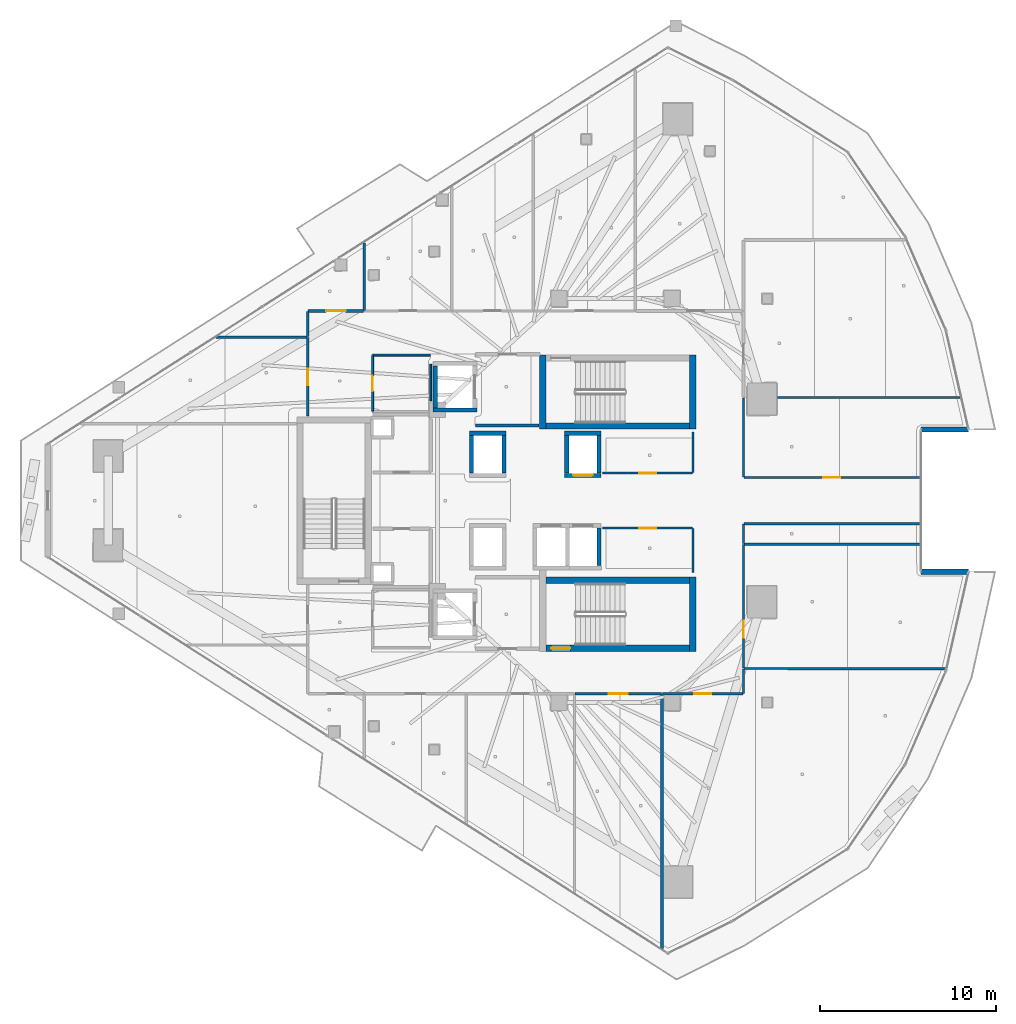
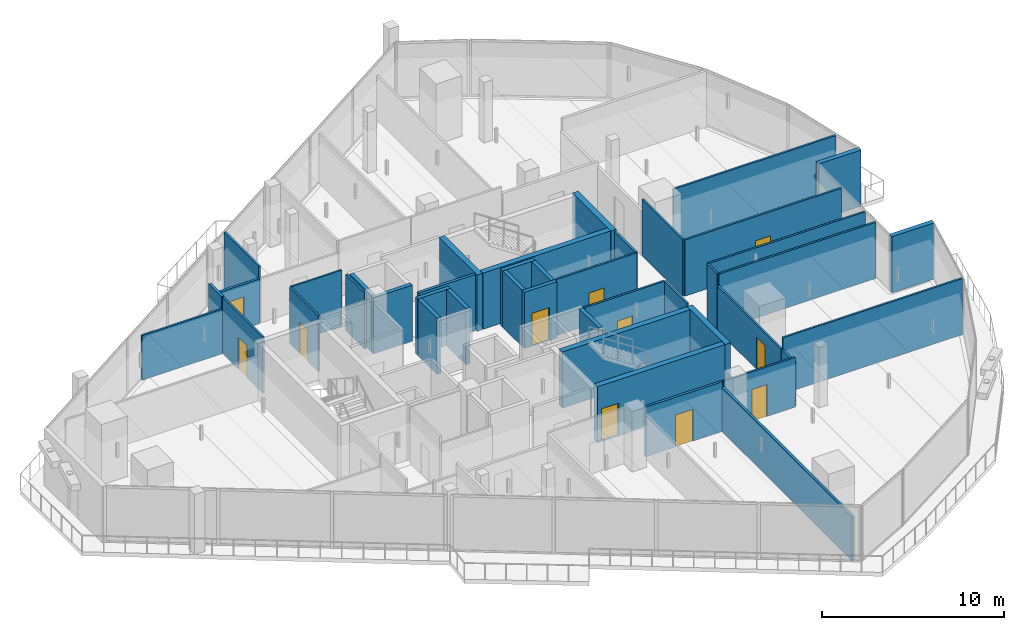
# One storey, part 25 of 36: 43 walls, 11 doors, 11 openings.
"""IFC4 building model written with IfcOpenShell, lengths in metres."""

from ifc_helpers import new_model, si_unit, direction, frame, frame_2d, origin, place, context, subcontext, project, spatial, rectangle, extrude, material, layer, layer_set, type_object, element, fill, save


model = new_model("IFC4")

# Units and contexts
model_context = context("Model", 3, precision=1e-05, world=origin(), true_north=direction((0.0, 1.0)))
body_context = subcontext(model_context, "Body", "Model", "MODEL_VIEW")
ifc_project = project(units=[si_unit("LENGTHUNIT", "METRE"), si_unit("AREAUNIT", "SQUARE_METRE"), si_unit("VOLUMEUNIT", "CUBIC_METRE"), si_unit("PLANEANGLEUNIT", "RADIAN"), si_unit("MASSUNIT", "GRAM", prefix="KILO")], contexts=[model_context])

# Site, building, storey
site_placement = place(None, origin())
site = spatial("IfcSite", under=ifc_project, at=site_placement, CompositionType="ELEMENT")
building_placement = place(site_placement, origin())
building = spatial("IfcBuilding", under=site, at=building_placement, Name="Qorvath Tower", CompositionType="ELEMENT")
storey_placement = place(building_placement, frame((0.0, 0.0, 241.5)))
storey = spatial("IfcBuildingStorey", under=building, at=storey_placement, Name="L56", CompositionType="ELEMENT", Elevation=241.5)

# Wall
ifc_material_1 = material(Name="Gypsum shaftliner on steel studs", Category="steel")
ifc_layer_1 = layer(ifc_material_1, 0.179931640625)
ifc_layer_set_1 = layer_set([ifc_layer_1], Name="FW-LOBBY")
wall_type_1 = type_object("IfcWallType", Name="FW-LOBBY", PredefinedType="PARTITIONING", material=ifc_layer_set_1)
wall_1_placement = place(storey_placement, frame((-28.35498046875, 4.25, 0.0), z_axis=(0.0, 0.0, 1.0), x_axis=(1.0, 0.0, 0.0)))
element("IfcWall", 1, at=wall_1_placement, inside=storey, type_object=wall_type_1, Name="Interior Partition IW-T1-L56-001", PredefinedType="PARTITIONING", context=body_context, shape_type="SweptSolid", body=[
    extrude(rectangle(XDim=3.6220703125, YDim=0.179931640625, at=frame_2d((1.81103515625, 0.0))), origin(), (0.0, 0.0, 1.0), 3.780029296875),
])

# Wall, opening, door
ifc_material_2 = material(Name="Double acoustic gypsum board on steel studs", Category="steel")
ifc_layer_2 = layer(ifc_material_2, 0.159912109375)
ifc_layer_set_2 = layer_set([ifc_layer_2], Name="IW-ACOUSTIC-160")
wall_type_2 = type_object("IfcWallType", Name="IW-ACOUSTIC-160", PredefinedType="PARTITIONING", material=ifc_layer_set_2)
wall_2_placement = place(storey_placement, frame((-17.79541015625, -10.9580078125, 0.0), z_axis=(0.0, 0.0, 1.0), x_axis=(-1.0, 0.0, 0.0)))
wall_2 = element("IfcWall", 2, at=wall_2_placement, inside=storey, type_object=wall_type_2, Name="Interior Partition IW-T1-L56-038", PredefinedType="PARTITIONING", context=body_context, shape_type="SweptSolid", body=[
    extrude(rectangle(XDim=4.904541015625, YDim=0.159912109375, at=frame_2d((2.4521484375, 0.0))), origin(), (0.0, 0.0, 1.0), 3.34375),
])
opening_1_placement = place(wall_2_placement, frame((1.90234375, 0.0, 0.0)))
opening_1 = element("IfcOpeningElement", 3, at=opening_1_placement, cuts=wall_2, Name="Opening D-T1-L56-13", PredefinedType="OPENING", context=body_context, shape_type="SweptSolid", body=[
    extrude(rectangle(XDim=1.10009765625, YDim=2.14990234375, at=frame_2d((0.550048828125, 1.074951171875))), frame((0.0, 0.08984375, 0.0), z_axis=(0.0, -1.0, 0.0), x_axis=(1.0, 0.0, 0.0)), (0.0, 0.0, 1.0), 0.179931640625),
])
ifc_material_3 = material(Name="Anodised aluminium acoustic framed glass", Category="aluminium")
door_type_1 = type_object("IfcDoorType", Name="D-03", OperationType="NOTDEFINED", PredefinedType="DOOR", material=ifc_material_3)
door_1_placement = place(opening_1_placement, origin())
door_1 = element("IfcDoor", 4, at=door_1_placement, inside=storey, type_object=door_type_1, Name="L56-07 Team Project Office Door D-T1-L56-13", OperationType="SINGLE_SWING_LEFT", OverallHeight=2.14990234375, OverallWidth=1.10009765625, PredefinedType="DOOR", context=body_context, shape_type="SweptSolid", body=[
    extrude(rectangle(XDim=1.10009765625, YDim=2.14990234375, at=frame_2d((0.550048828125, 1.074951171875))), frame((0.0, 0.02490234375, 0.0), z_axis=(0.0, -1.0, 0.0), x_axis=(1.0, 0.0, 0.0)), (0.0, 0.0, 1.0), 0.050048828125),
])
fill(opening_1, door_1)

# Walls
wall_3_placement = place(storey_placement, frame((-17.770263671875, -25.391845703125, 0.0), z_axis=(0.0, 0.0, 1.0), x_axis=(0.0, 1.0, 0.0)))
element("IfcWall", 5, at=wall_3_placement, inside=storey, type_object=wall_type_2, Name="Interior Partition IW-T1-L56-039", PredefinedType="PARTITIONING", context=body_context, shape_type="SweptSolid", body=[
    extrude(rectangle(XDim=14.408935546875, YDim=0.159912109375, at=frame_2d((7.20458984375, 0.0))), origin(), (0.0, 0.0, 1.0), 2.97705078125),
])
wall_4_placement = place(storey_placement, frame((-37.85791015625, 10.733154296875, 0.0), z_axis=(0.0, 0.0, 1.0), x_axis=(0.0, -1.0, 0.0)))
element("IfcWall", 6, at=wall_4_placement, inside=storey, type_object=wall_type_2, Name="Interior Partition IW-T1-L56-058", PredefinedType="PARTITIONING", context=body_context, shape_type="SweptSolid", body=[
    extrude(rectangle(XDim=1.43603515625, YDim=0.159912109375, at=frame_2d((0.718017578125, 0.0))), origin(), (0.0, 0.0, 1.0), 3.780029296875),
])

# Wall, opening, door
wall_5_placement = place(storey_placement, frame((-37.8330078125, 10.758056640625, 0.0), z_axis=(0.0, 0.0, 1.0), x_axis=(1.0, 0.0, 0.0)))
wall_5 = element("IfcWall", 7, at=wall_5_placement, inside=storey, type_object=wall_type_2, Name="Interior Partition IW-T1-L56-059", PredefinedType="PARTITIONING", context=body_context, shape_type="SweptSolid", body=[
    extrude(rectangle(XDim=3.14990234375, YDim=0.159912109375, at=frame_2d((1.574951171875, 0.0))), origin(), (0.0, 0.0, 1.0), 3.0),
])
opening_2_placement = place(wall_5_placement, frame((1.02490234375, 0.0, 0.0)))
opening_2 = element("IfcOpeningElement", 8, at=opening_2_placement, cuts=wall_5, Name="Opening D-T1-L56-21", PredefinedType="OPENING", context=body_context, shape_type="SweptSolid", body=[
    extrude(rectangle(XDim=1.10009765625, YDim=2.14990234375, at=frame_2d((0.550048828125, 1.074951171875))), frame((0.0, 0.08984375, 0.0), z_axis=(0.0, -1.0, 0.0), x_axis=(1.0, 0.0, 0.0)), (0.0, 0.0, 1.0), 0.179931640625),
])
door_2_placement = place(opening_2_placement, origin())
door_2 = element("IfcDoor", 9, at=door_2_placement, inside=storey, type_object=door_type_1, Name="L56-15 Digital Visualization Suite Door D-T1-L56-21", OperationType="SINGLE_SWING_LEFT", OverallHeight=2.14990234375, OverallWidth=1.10009765625, PredefinedType="DOOR", context=body_context, shape_type="SweptSolid", body=[
    extrude(rectangle(XDim=1.10009765625, YDim=2.14990234375, at=frame_2d((0.550048828125, 1.074951171875))), frame((0.0, 0.02490234375, 0.0), z_axis=(0.0, -1.0, 0.0), x_axis=(1.0, 0.0, 0.0)), (0.0, 0.0, 1.0), 0.050048828125),
])
fill(opening_2, door_2)

ifc_material_4 = material(Name="Gypsum board on metal studs with mineral wool", Category="gypsum")
ifc_layer_3 = layer(ifc_material_4, 0.125)
ifc_layer_set_3 = layer_set([ifc_layer_3], Name="IW-PART-125")
wall_type_3 = type_object("IfcWallType", Name="IW-PART-125", PredefinedType="PARTITIONING", material=ifc_layer_set_3)
wall_6_placement = place(storey_placement, frame((-21.1337890625, 1.56005859375, 0.0), z_axis=(0.0, 0.0, 1.0), x_axis=(1.0, 0.0, 0.0)))
wall_6 = element("IfcWall", 10, at=wall_6_placement, inside=storey, type_object=wall_type_3, Name="Interior Partition IW-T1-L56-013", PredefinedType="PARTITIONING", context=body_context, shape_type="SweptSolid", body=[
    extrude(rectangle(XDim=5.10888671875, YDim=0.125, at=frame_2d((2.554443359375, 0.0))), origin(), (0.0, 0.0, 1.0), 3.780029296875),
])
opening_3_placement = place(wall_6_placement, frame((2.079345703125, 0.0, 0.0)))
opening_3 = element("IfcOpeningElement", 11, at=opening_3_placement, cuts=wall_6, Name="Opening D-T1-L56-03", PredefinedType="OPENING", context=body_context, shape_type="SweptSolid", body=[
    extrude(rectangle(XDim=0.949951171875, YDim=2.14990234375, at=frame_2d((0.47509765625, 1.074951171875))), frame((0.0, 0.072509765625, 0.0), z_axis=(0.0, -1.0, 0.0), x_axis=(1.0, 0.0, 0.0)), (0.0, 0.0, 1.0), 0.14501953125),
])
ifc_material_5 = material(Name="Solid-core American white oak veneer", Category="wood")
door_type_2 = type_object("IfcDoorType", Name="D-01", OperationType="NOTDEFINED", PredefinedType="DOOR", material=ifc_material_5)
door_3_placement = place(opening_3_placement, origin())
door_3 = element("IfcDoor", 12, at=door_3_placement, inside=storey, type_object=door_type_2, Name="L56-RCN North Quantitative Server Suite Door D-T1-L56-03", OperationType="SINGLE_SWING_LEFT", OverallHeight=2.14990234375, OverallWidth=0.949951171875, PredefinedType="DOOR", context=body_context, shape_type="SweptSolid", body=[
    extrude(rectangle(XDim=0.949951171875, YDim=2.14990234375, at=frame_2d((0.47509765625, 1.074951171875))), frame((0.0, 0.02490234375, 0.0), z_axis=(0.0, -1.0, 0.0), x_axis=(1.0, 0.0, 0.0)), (0.0, 0.0, 1.0), 0.050048828125),
])
fill(opening_3, door_3)

# Walls
wall_7_placement = place(storey_placement, frame((-16.0, 1.585205078125, 0.0), z_axis=(0.0, 0.0, 1.0), x_axis=(0.0, 1.0, 0.0)))
element("IfcWall", 13, at=wall_7_placement, inside=storey, type_object=wall_type_3, Name="Interior Partition IW-T1-L56-014", PredefinedType="PARTITIONING", context=body_context, shape_type="SweptSolid", body=[
    extrude(rectangle(XDim=2.30224609375, YDim=0.125, at=frame_2d((1.151123046875, 0.0))), origin(), (0.0, 0.0, 1.0), 3.780029296875),
])
wall_8_placement = place(storey_placement, frame((-16.0, -4.0751953125, 0.0), z_axis=(0.0, 0.0, 1.0), x_axis=(0.0, 1.0, 0.0)))
element("IfcWall", 14, at=wall_8_placement, inside=storey, type_object=wall_type_3, Name="Interior Partition IW-T1-L56-015", PredefinedType="PARTITIONING", context=body_context, shape_type="SweptSolid", body=[
    extrude(rectangle(XDim=2.489990234375, YDim=0.125, at=frame_2d((1.2451171875, 0.0))), origin(), (0.0, 0.0, 1.0), 3.780029296875),
])

# Wall, opening, door
wall_9_placement = place(storey_placement, frame((-16.02490234375, -1.56005859375, 0.0), z_axis=(0.0, 0.0, 1.0), x_axis=(-1.0, 0.0, 0.0)))
wall_9 = element("IfcWall", 15, at=wall_9_placement, inside=storey, type_object=wall_type_3, Name="Interior Partition IW-T1-L56-016", PredefinedType="PARTITIONING", context=body_context, shape_type="SweptSolid", body=[
    extrude(rectangle(XDim=5.10888671875, YDim=0.125, at=frame_2d((2.554443359375, 0.0))), origin(), (0.0, 0.0, 1.0), 3.780029296875),
])
opening_4_placement = place(wall_9_placement, frame((2.079345703125, 0.0, 0.0)))
opening_4 = element("IfcOpeningElement", 16, at=opening_4_placement, cuts=wall_9, Name="Opening D-T1-L56-04", PredefinedType="OPENING", context=body_context, shape_type="SweptSolid", body=[
    extrude(rectangle(XDim=0.949951171875, YDim=2.14990234375, at=frame_2d((0.47509765625, 1.074951171875))), frame((0.0, 0.072509765625, 0.0), z_axis=(0.0, -1.0, 0.0), x_axis=(1.0, 0.0, 0.0)), (0.0, 0.0, 1.0), 0.14501953125),
])
door_4_placement = place(opening_4_placement, origin())
door_4 = element("IfcDoor", 17, at=door_4_placement, inside=storey, type_object=door_type_2, Name="L56-RCS South Quantitative Server Suite Door D-T1-L56-04", OperationType="SINGLE_SWING_RIGHT", OverallHeight=2.14990234375, OverallWidth=0.949951171875, PredefinedType="DOOR", context=body_context, shape_type="SweptSolid", body=[
    extrude(rectangle(XDim=0.949951171875, YDim=2.14990234375, at=frame_2d((0.47509765625, 1.074951171875))), frame((0.0, 0.02490234375, 0.0), z_axis=(0.0, -1.0, 0.0), x_axis=(1.0, 0.0, 0.0)), (0.0, 0.0, 1.0), 0.050048828125),
])
fill(opening_4, door_4)

# Walls
wall_10_placement = place(storey_placement, frame((-34.64990234375, 14.603515625, 0.0), z_axis=(0.0, 0.0, 1.0), x_axis=(0.0, -1.0, 0.0)))
element("IfcWall", 18, at=wall_10_placement, inside=storey, type_object=wall_type_3, Name="Interior Partition IW-T1-L56-023", PredefinedType="PARTITIONING", context=body_context, shape_type="SweptSolid", body=[
    extrude(rectangle(XDim=3.8203125, YDim=0.125, at=frame_2d((1.91015625, 0.0))), origin(), (0.0, 0.0, 1.0), 3.780029296875),
])
wall_11_placement = place(storey_placement, frame((-1.710693359375, -9.534423828125, 0.0), z_axis=(0.0, 0.0, 1.0), x_axis=(-0.99999991731, 0.000406669344, 0.0)))
element("IfcWall", 19, at=wall_11_placement, inside=storey, type_object=wall_type_3, Name="Interior Partition IW-T1-L56-040", PredefinedType="PARTITIONING", context=body_context, shape_type="SweptSolid", body=[
    extrude(rectangle(XDim=11.406494140625, YDim=0.125, at=frame_2d((5.703125, 0.0))), origin(), (0.0, 0.0, 1.0), 3.780029296875),
])
wall_12_placement = place(storey_placement, frame((-13.14208984375, -9.5546875, 0.0), z_axis=(0.0, 0.0, 1.0), x_axis=(0.0, -1.0, 0.0)))
element("IfcWall", 20, at=wall_12_placement, inside=storey, type_object=wall_type_3, Name="Interior Partition IW-T1-L56-041", PredefinedType="PARTITIONING", context=body_context, shape_type="SweptSolid", body=[
    extrude(rectangle(XDim=1.37841796875, YDim=0.125, at=frame_2d((0.689208984375, 0.0))), origin(), (0.0, 0.0, 1.0), 3.0),
])

# Wall, opening, door
wall_13_placement = place(storey_placement, frame((-13.1669921875, -10.9580078125, 0.0), z_axis=(0.0, 0.0, 1.0), x_axis=(-1.0, 0.0, 0.0)))
wall_13 = element("IfcWall", 21, at=wall_13_placement, inside=storey, type_object=wall_type_3, Name="Interior Partition IW-T1-L56-042", PredefinedType="PARTITIONING", context=body_context, shape_type="SweptSolid", body=[
    extrude(rectangle(XDim=4.5703125, YDim=0.125, at=frame_2d((2.28515625, 0.0))), origin(), (0.0, 0.0, 1.0), 3.34375),
])
opening_5_placement = place(wall_13_placement, frame((1.81005859375, 0.0, 0.0)))
opening_5 = element("IfcOpeningElement", 22, at=opening_5_placement, cuts=wall_13, Name="Opening D-T1-L56-14", PredefinedType="OPENING", context=body_context, shape_type="SweptSolid", body=[
    extrude(rectangle(XDim=0.949951171875, YDim=2.14990234375, at=frame_2d((0.47509765625, 1.074951171875))), frame((0.0, 0.072509765625, 0.0), z_axis=(0.0, -1.0, 0.0), x_axis=(1.0, 0.0, 0.0)), (0.0, 0.0, 1.0), 0.14501953125),
])
door_5_placement = place(opening_5_placement, origin())
door_5 = element("IfcDoor", 23, at=door_5_placement, inside=storey, type_object=door_type_2, Name="L56-08 Engineering Documentation Suite Door D-T1-L56-14", OperationType="SINGLE_SWING_RIGHT", OverallHeight=2.14990234375, OverallWidth=0.949951171875, PredefinedType="DOOR", context=body_context, shape_type="SweptSolid", body=[
    extrude(rectangle(XDim=0.949951171875, YDim=2.14990234375, at=frame_2d((0.47509765625, 1.074951171875))), frame((0.0, 0.02490234375, 0.0), z_axis=(0.0, -1.0, 0.0), x_axis=(1.0, 0.0, 0.0)), (0.0, 0.0, 1.0), 0.050048828125),
])
fill(opening_5, door_5)

# Wall
wall_14_placement = place(storey_placement, frame((-3.146240234375, -2.470458984375, 0.0), z_axis=(0.0, 0.0, 1.0), x_axis=(-1.0, 0.0, 0.0)))
element("IfcWall", 24, at=wall_14_placement, inside=storey, type_object=wall_type_3, Name="Interior Partition IW-T1-L56-043", PredefinedType="PARTITIONING", context=body_context, shape_type="SweptSolid", body=[
    extrude(rectangle(XDim=9.970947265625, YDim=0.125, at=frame_2d((4.9853515625, 0.0))), origin(), (0.0, 0.0, 1.0), 3.780029296875),
])

# Wall, opening, door
wall_15_placement = place(storey_placement, frame((-13.14208984375, -2.49560546875, 0.0), z_axis=(0.0, 0.0, 1.0), x_axis=(0.0, -1.0, 0.0)))
wall_15 = element("IfcWall", 25, at=wall_15_placement, inside=storey, type_object=wall_type_3, Name="Interior Partition IW-T1-L56-044", PredefinedType="PARTITIONING", context=body_context, shape_type="SweptSolid", body=[
    extrude(rectangle(XDim=7.00146484375, YDim=0.125, at=frame_2d((3.500732421875, 0.0))), origin(), (0.0, 0.0, 1.0), 3.0),
])
opening_6_placement = place(wall_15_placement, frame((4.322509765625, 0.0, 0.0)))
opening_6 = element("IfcOpeningElement", 26, at=opening_6_placement, cuts=wall_15, Name="Opening D-T1-L56-15", PredefinedType="OPENING", context=body_context, shape_type="SweptSolid", body=[
    extrude(rectangle(XDim=0.949951171875, YDim=2.14990234375, at=frame_2d((0.47509765625, 1.074951171875))), frame((0.0, 0.072509765625, 0.0), z_axis=(0.0, -1.0, 0.0), x_axis=(1.0, 0.0, 0.0)), (0.0, 0.0, 1.0), 0.14501953125),
])
door_6_placement = place(opening_6_placement, origin())
door_6 = element("IfcDoor", 27, at=door_6_placement, inside=storey, type_object=door_type_2, Name="L56-09 Focus Collaboration Pod Door D-T1-L56-15", OperationType="SINGLE_SWING_LEFT", OverallHeight=2.14990234375, OverallWidth=0.949951171875, PredefinedType="DOOR", context=body_context, shape_type="SweptSolid", body=[
    extrude(rectangle(XDim=0.949951171875, YDim=2.14990234375, at=frame_2d((0.47509765625, 1.074951171875))), frame((0.0, 0.02490234375, 0.0), z_axis=(0.0, -1.0, 0.0), x_axis=(1.0, 0.0, 0.0)), (0.0, 0.0, 1.0), 0.050048828125),
])
fill(opening_6, door_6)

# Walls
wall_16_placement = place(storey_placement, frame((-0.86962890625, 5.84423828125, 0.0), z_axis=(0.0, 0.0, 1.0), x_axis=(-1.0, 0.0, 0.0)))
element("IfcWall", 28, at=wall_16_placement, inside=storey, type_object=wall_type_3, Name="Interior Partition IW-T1-L56-045", PredefinedType="PARTITIONING", context=body_context, shape_type="SweptSolid", body=[
    extrude(rectangle(XDim=10.337158203125, YDim=0.125, at=frame_2d((5.16845703125, 0.0))), origin(), (0.0, 0.0, 1.0), 3.780029296875),
])
wall_17_placement = place(storey_placement, frame((-13.14208984375, 5.819091796875, 0.0), z_axis=(0.0, 0.0, 1.0), x_axis=(0.0, -1.0, 0.0)))
element("IfcWall", 29, at=wall_17_placement, inside=storey, type_object=wall_type_3, Name="Interior Partition IW-T1-L56-046", PredefinedType="PARTITIONING", context=body_context, shape_type="SweptSolid", body=[
    extrude(rectangle(XDim=4.486083984375, YDim=0.125, at=frame_2d((2.2431640625, 0.0))), origin(), (0.0, 0.0, 1.0), 3.780029296875),
])

# Wall, opening, door
wall_18_placement = place(storey_placement, frame((-13.1171875, 1.30810546875, 0.0), z_axis=(0.0, 0.0, 1.0), x_axis=(1.0, 0.0, 0.0)))
wall_18 = element("IfcWall", 30, at=wall_18_placement, inside=storey, type_object=wall_type_3, Name="Interior Partition IW-T1-L56-047", PredefinedType="PARTITIONING", context=body_context, shape_type="SweptSolid", body=[
    extrude(rectangle(XDim=9.970947265625, YDim=0.125, at=frame_2d((4.9853515625, 0.0))), origin(), (0.0, 0.0, 1.0), 3.780029296875),
])
opening_7_placement = place(wall_18_placement, frame((4.510498046875, 0.0, 0.0)))
opening_7 = element("IfcOpeningElement", 31, at=opening_7_placement, cuts=wall_18, Name="Opening D-T1-L56-16", PredefinedType="OPENING", context=body_context, shape_type="SweptSolid", body=[
    extrude(rectangle(XDim=0.949951171875, YDim=2.14990234375, at=frame_2d((0.47509765625, 1.074951171875))), frame((0.0, 0.072509765625, 0.0), z_axis=(0.0, -1.0, 0.0), x_axis=(1.0, 0.0, 0.0)), (0.0, 0.0, 1.0), 0.14501953125),
])
door_7_placement = place(opening_7_placement, origin())
door_7 = element("IfcDoor", 32, at=door_7_placement, inside=storey, type_object=door_type_2, Name="L56-10 Staff Refreshment Pantry and Coffee Bar Door D-T1-L56-16", OperationType="SINGLE_SWING_RIGHT", OverallHeight=2.14990234375, OverallWidth=0.949951171875, PredefinedType="DOOR", context=body_context, shape_type="SweptSolid", body=[
    extrude(rectangle(XDim=0.949951171875, YDim=2.14990234375, at=frame_2d((0.47509765625, 1.074951171875))), frame((0.0, 0.02490234375, 0.0), z_axis=(0.0, -1.0, 0.0), x_axis=(1.0, 0.0, 0.0)), (0.0, 0.0, 1.0), 0.050048828125),
])
fill(opening_7, door_7)

# Walls
wall_19_placement = place(storey_placement, frame((-13.1171875, -1.30810546875, 0.0), z_axis=(0.0, 0.0, 1.0), x_axis=(1.0, 0.0, 0.0)))
element("IfcWall", 33, at=wall_19_placement, inside=storey, type_object=wall_type_3, Name="Interior Partition IW-T1-L56-048", PredefinedType="PARTITIONING", context=body_context, shape_type="SweptSolid", body=[
    extrude(rectangle(XDim=9.970947265625, YDim=0.125, at=frame_2d((4.9853515625, 0.0))), origin(), (0.0, 0.0, 1.0), 3.780029296875),
])
wall_20_placement = place(storey_placement, frame((-13.14208984375, -1.3330078125, 0.0), z_axis=(0.0, 0.0, 1.0), x_axis=(0.0, -1.0, 0.0)))
element("IfcWall", 34, at=wall_20_placement, inside=storey, type_object=wall_type_3, Name="Interior Partition IW-T1-L56-049", PredefinedType="PARTITIONING", context=body_context, shape_type="SweptSolid", body=[
    extrude(rectangle(XDim=1.1044921875, YDim=0.125, at=frame_2d((0.55224609375, 0.0))), origin(), (0.0, 0.0, 1.0), 3.780029296875),
])

# Wall, opening, door
wall_21_placement = place(storey_placement, frame((-37.85791015625, 4.783203125, 0.0), z_axis=(0.0, 0.0, 1.0), x_axis=(0.0, 1.0, 0.0)))
wall_21 = element("IfcWall", 35, at=wall_21_placement, inside=storey, type_object=wall_type_3, Name="Interior Partition IW-T1-L56-056", PredefinedType="PARTITIONING", context=body_context, shape_type="SweptSolid", body=[
    extrude(rectangle(XDim=4.4560546875, YDim=0.125, at=frame_2d((2.22802734375, 0.0))), origin(), (0.0, 0.0, 1.0), 3.780029296875),
])
opening_8_placement = place(wall_21_placement, frame((1.7529296875, 0.0, 0.0)))
opening_8 = element("IfcOpeningElement", 36, at=opening_8_placement, cuts=wall_21, Name="Opening D-T1-L56-20", PredefinedType="OPENING", context=body_context, shape_type="SweptSolid", body=[
    extrude(rectangle(XDim=0.949951171875, YDim=2.14990234375, at=frame_2d((0.47509765625, 1.074951171875))), frame((0.0, 0.072509765625, 0.0), z_axis=(0.0, -1.0, 0.0), x_axis=(1.0, 0.0, 0.0)), (0.0, 0.0, 1.0), 0.14501953125),
])
door_8_placement = place(opening_8_placement, origin())
door_8 = element("IfcDoor", 37, at=door_8_placement, inside=storey, type_object=door_type_2, Name="L56-14 Breakout Reading Alcove Door D-T1-L56-20", OperationType="SINGLE_SWING_RIGHT", OverallHeight=2.14990234375, OverallWidth=0.949951171875, PredefinedType="DOOR", context=body_context, shape_type="SweptSolid", body=[
    extrude(rectangle(XDim=0.949951171875, YDim=2.14990234375, at=frame_2d((0.47509765625, 1.074951171875))), frame((0.0, 0.02490234375, 0.0), z_axis=(0.0, -1.0, 0.0), x_axis=(1.0, 0.0, 0.0)), (0.0, 0.0, 1.0), 0.050048828125),
])
fill(opening_8, door_8)

# Wall
wall_22_placement = place(storey_placement, frame((-37.8828125, 9.26416015625, 0.0), z_axis=(0.0, 0.0, 1.0), x_axis=(-1.0, 0.0, 0.0)))
element("IfcWall", 38, at=wall_22_placement, inside=storey, type_object=wall_type_3, Name="Interior Partition IW-T1-L56-057", PredefinedType="PARTITIONING", context=body_context, shape_type="SweptSolid", body=[
    extrude(rectangle(XDim=5.16650390625, YDim=0.125, at=frame_2d((2.583251953125, 0.0))), origin(), (0.0, 0.0, 1.0), 3.0),
])

# Wall, opening, door
ifc_material_6 = material(Name="Moisture-resistant cement board on metal studs", Category="gypsum")
ifc_layer_4 = layer(ifc_material_6, 0.110107421875)
ifc_layer_set_4 = layer_set([ifc_layer_4], Name="IW-WC-110")
wall_type_4 = type_object("IfcWallType", Name="IW-WC-110", PredefinedType="PARTITIONING", material=ifc_layer_set_4)
wall_23_placement = place(storey_placement, frame((-34.179931640625, 8.22509765625, 0.0), z_axis=(0.0, 0.0, 1.0), x_axis=(0.0, -1.0, 0.0)))
wall_23 = element("IfcWall", 39, at=wall_23_placement, inside=storey, type_object=wall_type_4, Name="Interior Partition IW-T1-L56-005", PredefinedType="PARTITIONING", context=body_context, shape_type="SweptSolid", body=[
    extrude(rectangle(XDim=3.150146484375, YDim=0.110107421875, at=frame_2d((1.5751953125, 0.0))), origin(), (0.0, 0.0, 1.0), 3.780029296875),
])
opening_9_placement = place(wall_23_placement, frame((1.135009765625, 0.0, 0.0)))
opening_9 = element("IfcOpeningElement", 40, at=opening_9_placement, cuts=wall_23, Name="Opening D-T1-L56-01", PredefinedType="OPENING", context=body_context, shape_type="SweptSolid", body=[
    extrude(rectangle(XDim=0.8798828125, YDim=2.10009765625, at=frame_2d((0.43994140625, 1.050048828125))), frame((0.0, 0.06494140625, 0.0), z_axis=(0.0, -1.0, 0.0), x_axis=(1.0, 0.0, 0.0)), (0.0, 0.0, 1.0), 0.130126953125),
])
ifc_material_7 = material(Name="Solid-core oak with acoustic drop seal", Category="wood")
door_type_3 = type_object("IfcDoorType", Name="D-02", OperationType="NOTDEFINED", PredefinedType="DOOR", material=ifc_material_7)
door_9_placement = place(opening_9_placement, origin())
door_9 = element("IfcDoor", 41, at=door_9_placement, inside=storey, type_object=door_type_3, Name="WC All-Gender North L56 Door D-T1-L56-01", OperationType="SINGLE_SWING_LEFT", OverallHeight=2.10009765625, OverallWidth=0.8798828125, PredefinedType="DOOR", context=body_context, shape_type="SweptSolid", body=[
    extrude(rectangle(XDim=0.8798828125, YDim=2.10009765625, at=frame_2d((0.43994140625, 1.050048828125))), frame((0.0, 0.02490234375, 0.0), z_axis=(0.0, -1.0, 0.0), x_axis=(1.0, 0.0, 0.0)), (0.0, 0.0, 1.0), 0.050048828125),
])
fill(opening_9, door_9)

# Walls
wall_24_placement = place(storey_placement, frame((-30.8798828125, 5.6650390625, 0.0), z_axis=(0.0, 0.0, 1.0), x_axis=(0.0, 1.0, 0.0)))
element("IfcWall", 42, at=wall_24_placement, inside=storey, type_object=wall_type_4, Name="Interior Partition IW-T1-L56-007", PredefinedType="PARTITIONING", context=body_context, shape_type="SweptSolid", body=[
    extrude(rectangle(XDim=2.077880859375, YDim=0.110107421875, at=frame_2d((1.0390625, 0.0))), origin(), (0.0, 0.0, 1.0), 3.780029296875),
])
wall_25_placement = place(storey_placement, frame((-30.90478515625, 8.25, 0.0), z_axis=(0.0, 0.0, 1.0), x_axis=(-1.0, 0.0, 0.0)))
element("IfcWall", 43, at=wall_25_placement, inside=storey, type_object=wall_type_4, Name="Interior Partition IW-T1-L56-008", PredefinedType="PARTITIONING", context=body_context, shape_type="SweptSolid", body=[
    extrude(rectangle(XDim=3.25, YDim=0.110107421875, at=frame_2d((1.625, 0.0))), origin(), (0.0, 0.0, 1.0), 3.780029296875),
])
ifc_material_8 = material(Name="Concrete C60/75", Category="concrete")
ifc_layer_5 = layer(ifc_material_8, 0.260009765625)
ifc_layer_set_5 = layer_set([ifc_layer_5], Name="SW-SHAFT")
wall_type_5 = type_object("IfcWallType", Name="SW-SHAFT", PredefinedType="SHEAR", material=ifc_layer_set_5)
wall_26_placement = place(storey_placement, frame((-28.260009765625, 5.1298828125, 0.0), z_axis=(0.0, 0.0, 1.0), x_axis=(-1.0, 0.0, 0.0)))
element("IfcWall", 44, at=wall_26_placement, inside=storey, type_object=wall_type_5, Name="Hoistway Wall FSAE-1 L56 S", PredefinedType="SHEAR", context=body_context, shape_type="SweptSolid", body=[
    extrude(rectangle(XDim=2.47998046875, YDim=0.239990234375, at=frame_2d((1.239990234375, 0.0))), origin(), (0.0, 0.0, 1.0), 3.780029296875),
])
wall_27_placement = place(storey_placement, frame((-30.6201171875, 5.261962890625, 0.0), z_axis=(0.0, 0.0, 1.0), x_axis=(0.0, 1.0, 0.0)))
element("IfcWall", 45, at=wall_27_placement, inside=storey, type_object=wall_type_5, Name="Hoistway Wall FSAE-1 L56 W", PredefinedType="SHEAR", context=body_context, shape_type="SweptSolid", body=[
    extrude(rectangle(XDim=2.3759765625, YDim=0.239990234375, at=frame_2d((1.18798828125, 0.0))), origin(), (0.0, 0.0, 1.0), 3.780029296875),
])
wall_28_placement = place(storey_placement, frame((-28.68994140625, 3.820068359375, 0.0), z_axis=(0.0, 0.0, 1.0), x_axis=(1.0, 0.0, 0.0)))
element("IfcWall", 46, at=wall_28_placement, inside=storey, type_object=wall_type_5, Name="Hoistway Wall PS-1 L56 N", PredefinedType="SHEAR", context=body_context, shape_type="SweptSolid", body=[
    extrude(rectangle(XDim=2.079833984375, YDim=0.239990234375, at=frame_2d((1.0400390625, 0.0))), origin(), (0.0, 0.0, 1.0), 3.780029296875),
])
for number, where, z_axis, x_axis, name in (
    (47, (-28.570068359375, 1.56201171875, 0.0), (0.0, 0.0, 1.0), (0.0, 1.0, 0.0), "Hoistway Wall PS-1 L56 W"),
    (48, (-26.72998046875, 3.68798828125, 0.0), (0.0, 0.0, 1.0), (0.0, -1.0, 0.0), "Hoistway Wall PS-1 L56 E"),
):
    element("IfcWall", number, at=place(storey_placement, frame(where, z_axis=z_axis, x_axis=x_axis)), inside=storey, type_object=wall_type_5, Name=name, PredefinedType="SHEAR", context=body_context, shape_type="SweptSolid", body=[
        extrude(rectangle(XDim=2.1259765625, YDim=0.239990234375, at=frame_2d((1.06298828125, 0.0))), origin(), (0.0, 0.0, 1.0), 3.780029296875),
    ])

# Wall, opening, door
wall_29_placement = place(storey_placement, frame((-21.2099609375, 1.429931640625, 0.0), z_axis=(0.0, 0.0, 1.0), x_axis=(-1.0, 0.0, 0.0)))
wall_29 = element("IfcWall", 49, at=wall_29_placement, inside=storey, type_object=wall_type_5, Name="Hoistway Wall PU-1 L56 S", PredefinedType="SHEAR", context=body_context, shape_type="SweptSolid", body=[
    extrude(rectangle(XDim=2.080078125, YDim=0.239990234375, at=frame_2d((1.0400390625, 0.0))), origin(), (0.0, 0.0, 1.0), 3.780029296875),
])
opening_10_placement = place(wall_29_placement, frame((0.489990234375, 0.0, 0.0)))
opening_10 = element("IfcOpeningElement", 50, at=opening_10_placement, cuts=wall_29, Name="Opening LD-PU-1-L56", PredefinedType="OPENING", context=body_context, shape_type="SweptSolid", body=[
    extrude(rectangle(XDim=1.10009765625, YDim=2.199951171875, at=frame_2d((0.550048828125, 1.10009765625))), frame((0.0, 0.1298828125, 0.0), z_axis=(0.0, -1.0, 0.0), x_axis=(1.0, 0.0, 0.0)), (0.0, 0.0, 1.0), 0.260009765625),
])
ifc_material_9 = material(Name="Brushed stainless steel AISI 316", Category="steel")
door_type_4 = type_object("IfcDoorType", Name="LD-01", OperationType="NOTDEFINED", PredefinedType="DOOR", material=ifc_material_9)
door_10_placement = place(opening_10_placement, origin())
door_10 = element("IfcDoor", 51, at=door_10_placement, inside=storey, type_object=door_type_4, Name="Elevator Landing Sliding Door LD-PU-1-L56", OperationType="DOUBLE_DOOR_SLIDING", OverallHeight=2.199951171875, OverallWidth=1.10009765625, PredefinedType="DOOR", context=body_context, shape_type="SweptSolid", body=[
    extrude(rectangle(XDim=1.10009765625, YDim=2.199951171875, at=frame_2d((0.550048828125, 1.10009765625))), frame((0.0, 0.02490234375, 0.0), z_axis=(0.0, -1.0, 0.0), x_axis=(1.0, 0.0, 0.0)), (0.0, 0.0, 1.0), 0.050048828125),
])
fill(opening_10, door_10)

# Walls
wall_30_placement = place(storey_placement, frame((-23.2900390625, 3.820068359375, 0.0), z_axis=(0.0, 0.0, 1.0), x_axis=(1.0, 0.0, 0.0)))
element("IfcWall", 52, at=wall_30_placement, inside=storey, type_object=wall_type_5, Name="Hoistway Wall PU-1 L56 N", PredefinedType="SHEAR", context=body_context, shape_type="SweptSolid", body=[
    extrude(rectangle(XDim=2.080078125, YDim=0.239990234375, at=frame_2d((1.0400390625, 0.0))), origin(), (0.0, 0.0, 1.0), 3.780029296875),
])
for number, where, z_axis, x_axis, name in (
    (53, (-23.169921875, 1.56201171875, 0.0), (0.0, 0.0, 1.0), (0.0, 1.0, 0.0), "Hoistway Wall PU-1 L56 W"),
    (54, (-21.330078125, 3.68798828125, 0.0), (0.0, 0.0, 1.0), (0.0, -1.0, 0.0), "Hoistway Wall PU-1 L56 E"),
    (55, (-21.330078125, -1.56201171875, 0.0), (0.0, 0.0, 1.0), (0.0, -1.0, 0.0), "Hoistway Wall PU-3 L56 E"),
):
    element("IfcWall", number, at=place(storey_placement, frame(where, z_axis=z_axis, x_axis=x_axis)), inside=storey, type_object=wall_type_5, Name=name, PredefinedType="SHEAR", context=body_context, shape_type="SweptSolid", body=[
        extrude(rectangle(XDim=2.1259765625, YDim=0.239990234375, at=frame_2d((1.06298828125, 0.0))), origin(), (0.0, 0.0, 1.0), 3.780029296875),
    ])
ifc_material_10 = material(Name="Concrete C60/75", Category="concrete")
ifc_layer_6 = layer(ifc_material_10, 0.35009765625)
ifc_layer_set_6 = layer_set([ifc_layer_6], Name="SW-STAIR")
wall_type_6 = type_object("IfcWallType", Name="SW-STAIR", PredefinedType="SHEAR", material=ifc_layer_set_6)
for number, where, z_axis, x_axis, name in (
    (56, (-24.52490234375, 8.260009765625, 0.0), (0.0, 0.0, 1.0), (0.0, -1.0, 0.0), "Stair TS1 Shear Wall L56 NEAR"),
    (57, (-16.02490234375, 4.050048828125, 0.0), (0.0, 0.0, 1.0), (0.0, 1.0, 0.0), "Stair TS1 Shear Wall L56 FAR"),
):
    element("IfcWall", number, at=place(storey_placement, frame(where, z_axis=z_axis, x_axis=x_axis)), inside=storey, type_object=wall_type_6, Name=name, PredefinedType="SHEAR", context=body_context, shape_type="SweptSolid", body=[
        extrude(rectangle(XDim=4.2099609375, YDim=0.35009765625, at=frame_2d((2.10498046875, 0.0))), origin(), (0.0, 0.0, 1.0), 3.780029296875),
    ])
wall_31_placement = place(storey_placement, frame((-24.3349609375, 4.22509765625, 0.0), z_axis=(0.0, 0.0, 1.0), x_axis=(1.0, 0.0, 0.0)))
element("IfcWall", 58, at=wall_31_placement, inside=storey, type_object=wall_type_6, Name="Stair TS1 Shear Wall L56 LEFT", PredefinedType="SHEAR", context=body_context, shape_type="SweptSolid", body=[
    extrude(rectangle(XDim=8.119873046875, YDim=0.35009765625, at=frame_2d((4.06005859375, 0.0))), origin(), (0.0, 0.0, 1.0), 3.780029296875),
])
wall_32_placement = place(storey_placement, frame((-16.02490234375, -8.550048828125, 0.0), z_axis=(0.0, 0.0, 1.0), x_axis=(0.0, 1.0, 0.0)))
element("IfcWall", 59, at=wall_32_placement, inside=storey, type_object=wall_type_6, Name="Stair TS2 Shear Wall L56 FAR", PredefinedType="SHEAR", context=body_context, shape_type="SweptSolid", body=[
    extrude(rectangle(XDim=4.2099609375, YDim=0.35009765625, at=frame_2d((2.10498046875, 0.0))), origin(), (0.0, 0.0, 1.0), 3.780029296875),
])

# Wall, opening, door
wall_33_placement = place(storey_placement, frame((-24.3349609375, -8.375, 0.0), z_axis=(0.0, 0.0, 1.0), x_axis=(1.0, 0.0, 0.0)))
wall_33 = element("IfcWall", 60, at=wall_33_placement, inside=storey, type_object=wall_type_6, Name="Stair TS2 Shear Wall L56 LEFT", PredefinedType="SHEAR", context=body_context, shape_type="SweptSolid", body=[
    extrude(rectangle(XDim=8.119873046875, YDim=0.35009765625, at=frame_2d((4.06005859375, 0.0))), origin(), (0.0, 0.0, 1.0), 3.780029296875),
])
opening_11_placement = place(wall_33_placement, frame((0.280029296875, 0.0, 0.0)))
opening_11 = element("IfcOpeningElement", 61, at=opening_11_placement, cuts=wall_33, Name="Opening D-TS2-L56", PredefinedType="OPENING", context=body_context, shape_type="SweptSolid", body=[
    extrude(rectangle(XDim=1.10009765625, YDim=2.199951171875, at=frame_2d((0.550048828125, 1.10009765625))), frame((0.0, 0.18505859375, 0.0), z_axis=(0.0, -1.0, 0.0), x_axis=(1.0, 0.0, 0.0)), (0.0, 0.0, 1.0), 0.3701171875),
])
ifc_material_11 = material(Name="Painted galvanised hollow metal", Category="steel")
door_type_5 = type_object("IfcDoorType", Name="FD-90", OperationType="NOTDEFINED", PredefinedType="DOOR", material=ifc_material_11)
door_11_placement = place(opening_11_placement, origin())
door_11 = element("IfcDoor", 62, at=door_11_placement, inside=storey, type_object=door_type_5, Name="Stair TS2 Fire Door L56", OperationType="SINGLE_SWING_LEFT", OverallHeight=2.199951171875, OverallWidth=1.10009765625, PredefinedType="DOOR", context=body_context, shape_type="SweptSolid", body=[
    extrude(rectangle(XDim=1.10009765625, YDim=2.199951171875, at=frame_2d((0.550048828125, 1.10009765625))), frame((0.0, 0.02490234375, 0.0), z_axis=(0.0, -1.0, 0.0), x_axis=(1.0, 0.0, 0.0)), (0.0, 0.0, 1.0), 0.050048828125),
])
fill(opening_11, door_11)

# Walls
wall_34_placement = place(storey_placement, frame((-16.215087890625, -4.514892578125, 0.0), z_axis=(0.0, 0.0, 1.0), x_axis=(-1.0, 0.0, 0.0)))
element("IfcWall", 63, at=wall_34_placement, inside=storey, type_object=wall_type_6, Name="Stair TS2 Shear Wall L56 RIGHT", PredefinedType="SHEAR", context=body_context, shape_type="SweptSolid", body=[
    extrude(rectangle(XDim=8.119873046875, YDim=0.35009765625, at=frame_2d((4.06005859375, 0.0))), origin(), (0.0, 0.0, 1.0), 3.780029296875),
])
ifc_material_12 = material(Name="Precast concrete C45/55", Category="concrete")
ifc_layer_7 = layer(ifc_material_12, 0.300048828125)
ifc_layer_set_7 = layer_set([ifc_layer_7], Name="WL-EW-LOG-300")
wall_type_7 = type_object("IfcWallType", Name="WL-EW-LOG-300", PredefinedType="SOLIDWALL", material=ifc_layer_set_7)
for number, where, z_axis, x_axis, name in (
    (64, (-0.376953125, -4.03369140625, 0.0), (0.0, 0.0, 1.0), (-1.0, 0.0, 0.0), "Tower Precast Loggia Wall L56-8.1"),
    (65, (-3.066162109375, 4.03369140625, 0.0), (0.0, 0.0, 1.0), (1.0, 0.0, 0.0), "Tower Precast Loggia Wall L56-10.1"),
):
    element("IfcWall", number, at=place(storey_placement, frame(where, z_axis=z_axis, x_axis=x_axis)), inside=storey, type_object=wall_type_7, Name=name, PredefinedType="SOLIDWALL", context=body_context, shape_type="SweptSolid", body=[
        extrude(rectangle(XDim=2.689208984375, YDim=0.300048828125, at=frame_2d((1.3447265625, 0.0))), origin(), (0.0, 0.0, 1.0), 3.780029296875),
    ])

save(model, "model.ifc")
